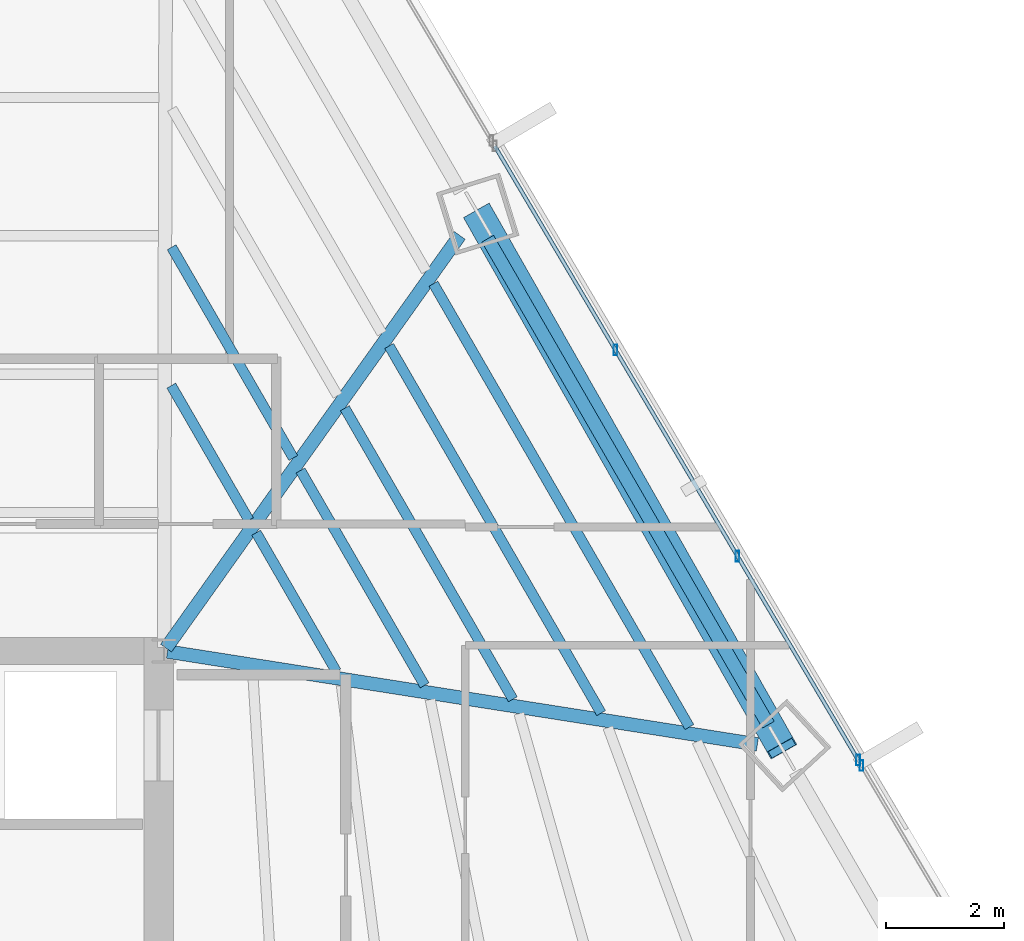
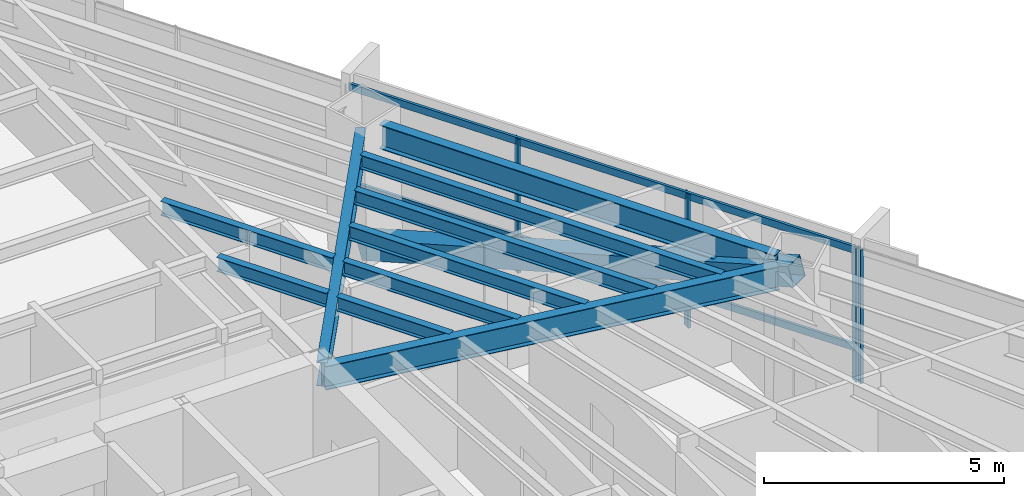
# One storey, part 22 of 35: 10 beams, 7 members, 2 elements without a shape of their own.
"""IFC4 building model written with IfcOpenShell, lengths in metres."""

import ifcopenshell
import ifcopenshell.guid

model = None  # the IFC model being written
_history = None  # IfcOwnerHistory: only IFC2X3 demands one
_inside = {}  # id of a spatial element -> (the spatial element, [elements in it])
_under = {}  # id of a project, library or spatial element -> (it, [spatial elements below it])
_declared = {}  # id of a project -> (the project, [libraries it declares])
_typed = {}  # id of a type object -> (the type object, [elements of that type])
_made_of = {}  # id of a material, layer set ... -> (it, [elements and type objects made of it])


def new_model(schema):
    """Start an empty IFC model of exactly this schema.

    Asked for "IFC4X3", IfcOpenShell would pick the latest addendum, in which some entities
    have other attributes; the version numbers below select the first issue.
    IFC2X3 requires an IfcOwnerHistory on every rooted entity: one is made here for all.
    """
    global model, _history
    if schema == "IFC4X3":
        model = ifcopenshell.file(schema_version=(4, 3, 0, 0))
    else:
        model = ifcopenshell.file(schema=schema)
    _inside.clear()
    _under.clear()
    _declared.clear()
    _typed.clear()
    _made_of.clear()
    _history = None
    if model.schema == "IFC2X3":
        org = make("IfcOrganization", Name="unknown")
        user = make(
            "IfcPersonAndOrganization",
            ThePerson=make("IfcPerson", FamilyName="unknown"),
            TheOrganization=org,
        )
        app = make(
            "IfcApplication",
            ApplicationDeveloper=org,
            Version="unknown",
            ApplicationFullName="unknown",
            ApplicationIdentifier="unknown",
        )
        _history = make(
            "IfcOwnerHistory",
            OwningUser=user,
            OwningApplication=app,
            ChangeAction="ADDED",
            CreationDate=0,
        )
    return model


def make(cls, **values):
    """One entity of the class cls with the attributes given. An attribute that is None is left unset."""
    return model.create_entity(
        cls, **{name: value for name, value in values.items() if value is not None}
    )


def rooted(cls, **values):
    """An entity with a GlobalId (a new one), such as an element, a storey or a relation."""
    return make(cls, GlobalId=ifcopenshell.guid.new(), OwnerHistory=_history, **values)


def si_unit(unit_type, name, prefix=None):
    """IfcSIUnit, for example si_unit("LENGTHUNIT", "METRE", prefix="MILLI")."""
    return make("IfcSIUnit", UnitType=unit_type, Prefix=prefix, Name=name)


def assignment(units):
    """IfcUnitAssignment: the units of a project."""
    return None if units is None else make("IfcUnitAssignment", Units=units)


def point(xyz):
    """IfcCartesianPoint."""
    return None if xyz is None else make("IfcCartesianPoint", Coordinates=xyz)


def direction(xyz):
    """IfcDirection."""
    return None if xyz is None else make("IfcDirection", DirectionRatios=xyz)


def frame(location, z_axis=None, x_axis=None):
    """IfcAxis2Placement3D, a coordinate frame: its origin and axes. An axis left out is left unset."""
    return make(
        "IfcAxis2Placement3D",
        Location=point(location),
        Axis=direction(z_axis),
        RefDirection=direction(x_axis),
    )


def frame_2d(location, x_axis=None):
    """IfcAxis2Placement2D, a coordinate frame in the plane: its origin and x axis."""
    return make(
        "IfcAxis2Placement2D", Location=point(location), RefDirection=direction(x_axis)
    )


def origin():
    """The frame at (0, 0, 0) with its axes left unset."""
    return frame((0.0, 0.0, 0.0))


def origin_2d():
    """The frame at (0, 0) in the plane with its x axis left unset."""
    return frame_2d((0.0, 0.0))


def place(relative_to, where):
    """IfcLocalPlacement: puts the frame where relative to a parent placement (None: the world)."""
    return make(
        "IfcLocalPlacement", PlacementRelTo=relative_to, RelativePlacement=where
    )


def context(
    kind, dimensions, precision=None, world=None, true_north=None, identifier=None
):
    """IfcGeometricRepresentationContext, for example the 3D "Model" context."""
    return make(
        "IfcGeometricRepresentationContext",
        ContextIdentifier=identifier,
        ContextType=kind,
        CoordinateSpaceDimension=dimensions,
        Precision=precision,
        WorldCoordinateSystem=world,
        TrueNorth=true_north,
    )


def subcontext(parent, identifier, kind, view, scale=None):
    """IfcGeometricRepresentationSubContext, for example "Body" below "Model"."""
    return make(
        "IfcGeometricRepresentationSubContext",
        ContextIdentifier=identifier,
        ContextType=kind,
        ParentContext=parent,
        TargetScale=scale,
        TargetView=view,
    )


def project(units=None, contexts=None):
    """IfcProject with its units and contexts."""
    return rooted(
        "IfcProject",
        Name="project",
        RepresentationContexts=contexts,
        UnitsInContext=assignment(units),
    )


def spatial(cls, under=None, at=None, **own):
    """A site, building, storey or space (cls), placed at a placement, below another one or the project."""
    s = rooted(cls, ObjectPlacement=at, **own)
    if under is not None:
        _under.setdefault(under.id(), (under, []))[1].append(s)
    return s


def profile(cls, at=None, kind="AREA", **sizes):
    """A parametric profile (cls). Its sizes go by their IFC names, for example OverallWidth=200.0."""
    return make(cls, ProfileType=kind, Position=at, **sizes)


def hollow_rectangle(**sizes):
    """IfcRectangleHollowProfileDef."""
    return profile("IfcRectangleHollowProfileDef", **sizes)


def i_section(**sizes):
    """IfcIShapeProfileDef."""
    return profile("IfcIShapeProfileDef", **sizes)


def extrude(swept, where, along, depth):
    """IfcExtrudedAreaSolid: the profile swept, set in the frame where, extruded along a direction by depth."""
    return make(
        "IfcExtrudedAreaSolid",
        SweptArea=swept,
        Position=where,
        ExtrudedDirection=direction(along),
        Depth=depth,
    )


def shape(context_of_items, identifier, shape_type, items):
    """IfcShapeRepresentation: the items that make up one representation, for example the "Body"."""
    return make(
        "IfcShapeRepresentation",
        ContextOfItems=context_of_items,
        RepresentationIdentifier=identifier,
        RepresentationType=shape_type,
        Items=items,
    )


def source(mapping_origin, context_of_items, identifier, shape_type, items):
    """IfcRepresentationMap: a shape defined once, which mapped items show again and again."""
    return make(
        "IfcRepresentationMap",
        MappingOrigin=mapping_origin,
        MappedRepresentation=shape(context_of_items, identifier, shape_type, items),
    )


def transform(
    local_origin,
    x_axis=None,
    y_axis=None,
    z_axis=None,
    scale=None,
    scale2=None,
    scale3=None,
    uniform=True,
):
    """IfcCartesianTransformationOperator3D, or its non-uniform kind. x_axis, y_axis, z_axis: its Axis1, 2, 3."""
    if uniform:
        return make(
            "IfcCartesianTransformationOperator3D",
            Axis1=direction(x_axis),
            Axis2=direction(y_axis),
            LocalOrigin=point(local_origin),
            Scale=scale,
            Axis3=direction(z_axis),
        )
    return make(
        "IfcCartesianTransformationOperator3DnonUniform",
        Axis1=direction(x_axis),
        Axis2=direction(y_axis),
        LocalOrigin=point(local_origin),
        Scale=scale,
        Axis3=direction(z_axis),
        Scale2=scale2,
        Scale3=scale3,
    )


def mapped(mapping_source, mapping_target):
    """IfcMappedItem: shows the shape of a source again, moved by a transform."""
    return make(
        "IfcMappedItem", MappingSource=mapping_source, MappingTarget=mapping_target
    )


def material(Name=None, Category=None):
    """IfcMaterial."""
    return make("IfcMaterial", Name=Name, Category=Category)


def material_profile(
    of_material, cross_section, Name=None, Category=None, Priority=None
):
    """IfcMaterialProfile: a cross section and its material."""
    return make(
        "IfcMaterialProfile",
        Name=Name,
        Material=of_material,
        Profile=cross_section,
        Priority=Priority,
        Category=Category,
    )


def profile_set(profiles, Name=None, composite=None):
    """IfcMaterialProfileSet."""
    return make(
        "IfcMaterialProfileSet",
        Name=Name,
        MaterialProfiles=profiles,
        CompositeProfile=composite,
    )


def made_of(thing, what):
    """Note that an element or type object is made of a material, layer set ...; save() writes the relation."""
    if what is not None:
        _made_of.setdefault(what.id(), (what, []))[1].append(thing)
    return thing


def type_object(cls, material=None, **own):
    """A type object (cls), such as IfcWallType, which elements share."""
    return made_of(rooted(cls, **own), material)


def type_shapes(of_type, sources):
    """Give a type object the sources (RepresentationMaps) that its elements show as mapped items."""
    of_type.RepresentationMaps = sources


def element(
    cls,
    number,
    at=None,
    inside=None,
    cuts=None,
    type_object=None,
    material=None,
    context=None,
    identifier="Body",
    shape_type=None,
    held_by="IfcProductDefinitionShape",
    body=None,
    shapes=None,
    **own,
):
    """One element of the class cls, such as IfcWall. Its Tag is "e" and its number.

    at: its placement. inside: the storey or other place that contains it. cuts: it is an
    opening in that element (IfcRelVoidsElement). A single representation is given by context,
    identifier, shape_type and body (its items); several are given by shapes. held_by: the class
    of the entity that holds the representations. save() writes the other relations.
    """
    e = rooted(cls, Tag="e%d" % number, ObjectPlacement=at, **own)
    if body is not None:
        shapes = [shape(context, identifier, shape_type, body)]
    if shapes is not None:
        e.Representation = make(held_by, Representations=shapes)
    if inside is not None:
        _inside.setdefault(inside.id(), (inside, []))[1].append(e)
    if cuts is not None:
        rooted(
            "IfcRelVoidsElement", RelatingBuildingElement=cuts, RelatedOpeningElement=e
        )
    if type_object is not None:
        _typed.setdefault(type_object.id(), (type_object, []))[1].append(e)
    return made_of(e, material)


def aggregate(whole, parts):
    """IfcRelAggregates: a whole, such as a stair, and the parts it consists of."""
    return rooted("IfcRelAggregates", RelatingObject=whole, RelatedObjects=parts)


def save(model, path):
    """Write the relations noted so far, then the file.

    IfcRelAggregates (storeys below a building ...), IfcRelContainedInSpatialStructure (elements
    in a storey), IfcRelDefinesByType, IfcRelAssociatesMaterial and IfcRelDeclares: one each for
    every whole, place, type object, material and project.
    """
    for whole, parts in _under.values():
        aggregate(whole, parts)
    for where, things in _inside.values():
        rooted(
            "IfcRelContainedInSpatialStructure",
            RelatedElements=things,
            RelatingStructure=where,
        )
    for kind, things in _typed.values():
        rooted("IfcRelDefinesByType", RelatedObjects=things, RelatingType=kind)
    for what, things in _made_of.values():
        rooted("IfcRelAssociatesMaterial", RelatedObjects=things, RelatingMaterial=what)
    for by, libraries in _declared.values():
        rooted("IfcRelDeclares", RelatingContext=by, RelatedDefinitions=libraries)
    model.write(path)


model = new_model("IFC4")

# Units and contexts
model_context = context("Model", 3, precision=1e-05, world=origin(), true_north=direction((0.0, 1.0)))
body_context = subcontext(model_context, "Body", "Model", "MODEL_VIEW")
ifc_project = project(units=[si_unit("LENGTHUNIT", "METRE"), si_unit("AREAUNIT", "SQUARE_METRE"), si_unit("VOLUMEUNIT", "CUBIC_METRE"), si_unit("PLANEANGLEUNIT", "RADIAN"), si_unit("MASSUNIT", "GRAM", prefix="KILO")], contexts=[model_context])

# Site, building, storey
site_placement = place(None, origin())
site = spatial("IfcSite", under=ifc_project, at=site_placement, CompositionType="ELEMENT")
building_placement = place(site_placement, origin())
building = spatial("IfcBuilding", under=site, at=building_placement, Name="Caelisora Broadcast Tower", CompositionType="ELEMENT")
storey_placement = place(building_placement, frame((0.0, 0.0, 98.10009765625)))
storey = spatial("IfcBuildingStorey", under=building, at=storey_placement, Name="L25", CompositionType="ELEMENT", Elevation=98.10009765625)

# Beams
ifc_material_1 = material(Name="Steel Grade 350 (AS/NZS 3679.1)", Category="steel")
ifc_material_profile_1 = material_profile(ifc_material_1, i_section(OverallWidth=0.22900390625, OverallDepth=0.611572265625, WebThickness=0.011962890625, FlangeThickness=0.01953125, at=origin_2d()), Name="Steel Grade 350 (AS/NZS 3679.1)")
ifc_profile_set_1 = profile_set([ifc_material_profile_1], Name="Steel Grade 350 (AS/NZS 3679.1)")
beam_type_1 = type_object("IfcBeamType", Name="PG03", PredefinedType="BEAM", material=ifc_profile_set_1)
shared_shape_1 = source(origin(), body_context, "Body", "SweptSolid", [
    extrude(i_section(OverallWidth=0.22900390625, OverallDepth=0.611572265625, WebThickness=0.011962890625, FlangeThickness=0.01953125, at=origin_2d()), origin(), (0.0, 0.0, 1.0), 9.50048828125),
])
type_shapes(beam_type_1, [shared_shape_1])
beam_1_placement = place(storey_placement, frame((55.73095703125, 28.751708984375, 3.093994140625), z_axis=(-0.499994576128, 0.866028535236, 0.0), x_axis=(-0.866028535236, -0.499994576128, 0.0)))
element("IfcBeam", 1, at=beam_1_placement, inside=storey, type_object=beam_type_1, Name="L25 beam PG03", PredefinedType="BEAM", context=body_context, shape_type="MappedRepresentation", body=[
    mapped(shared_shape_1, transform((0.0, 0.0, 0.0), scale=1.0)),
])
ifc_material_profile_2 = material_profile(ifc_material_1, i_section(OverallWidth=0.22802734375, OverallDepth=0.602294921875, WebThickness=0.010498046875, FlangeThickness=0.014892578125, at=origin_2d()), Name="Steel Grade 350 (AS/NZS 3679.1)")
ifc_profile_set_2 = profile_set([ifc_material_profile_2], Name="Steel Grade 350 (AS/NZS 3679.1)")
beam_type_2 = type_object("IfcBeamType", Name="PG04", PredefinedType="BEAM", material=ifc_profile_set_2)
shared_shape_2 = source(origin(), body_context, "Body", "SweptSolid", [
    extrude(i_section(OverallWidth=0.22802734375, OverallDepth=0.602294921875, WebThickness=0.010498046875, FlangeThickness=0.014892578125, at=origin_2d()), origin(), (0.0, 0.0, 1.0), 8.575439453125),
])
beam_2_placement = place(storey_placement, frame((45.534912109375, 30.048828125, 3.098876953125), z_axis=(0.579815356656, 0.814747907138, 0.0), x_axis=(-0.814747907138, 0.579815356656, 0.0)))
element("IfcBeam", 2, at=beam_2_placement, inside=storey, type_object=beam_type_2, Name="L25 beam PG04", PredefinedType="BEAM", context=body_context, shape_type="MappedRepresentation", body=[
    mapped(shared_shape_2, transform((0.0, 0.0, 0.0), scale=1.0)),
])
shared_shape_3 = source(origin(), body_context, "Body", "SweptSolid", [
    extrude(i_section(OverallWidth=0.22802734375, OverallDepth=0.602294921875, WebThickness=0.010498046875, FlangeThickness=0.014892578125, at=origin_2d()), origin(), (0.0, 0.0, 1.0), 10.109619140625),
])
type_shapes(beam_type_2, [shared_shape_2, shared_shape_3])
beam_3_placement = place(storey_placement, frame((45.559326171875, 29.99072265625, 3.098876953125), z_axis=(0.987836088226, -0.155498754971, 0.0), x_axis=(0.155498754971, 0.987836088226, 0.0)))
element("IfcBeam", 3, at=beam_3_placement, inside=storey, type_object=beam_type_2, Name="L25 beam PG04", PredefinedType="BEAM", context=body_context, shape_type="MappedRepresentation", body=[
    mapped(shared_shape_3, transform((0.0, 0.0, 0.0), scale=1.0)),
])
ifc_material_profile_3 = material_profile(ifc_material_1, i_section(OverallWidth=0.172119140625, OverallDepth=0.358642578125, WebThickness=0.008056640625, FlangeThickness=0.012939453125, at=origin_2d()), Name="Steel Grade 350 (AS/NZS 3679.1)")
ifc_profile_set_3 = profile_set([ifc_material_profile_3], Name="Steel Grade 350 (AS/NZS 3679.1)")
beam_type_3 = type_object("IfcBeamType", Name="SB02", PredefinedType="JOIST", material=ifc_profile_set_3)
shared_shape_4 = source(origin(), body_context, "Body", "SweptSolid", [
    extrude(i_section(OverallWidth=0.172119140625, OverallDepth=0.358642578125, WebThickness=0.008056640625, FlangeThickness=0.012939453125, at=origin_2d()), origin(), (0.0, 0.0, 1.0), 2.631103515625),
])
beam_4_placement = place(storey_placement, frame((46.93896484375, 32.2138671875, 3.220703125), z_axis=(-0.499971461383, 0.866041879935, 0.0), x_axis=(-0.866041879935, -0.499971461383, 0.0)))
element("IfcBeam", 4, at=beam_4_placement, inside=storey, type_object=beam_type_3, Name="L25 beam SB02", PredefinedType="JOIST", context=body_context, shape_type="MappedRepresentation", body=[
    mapped(shared_shape_4, transform((0.0, 0.0, 0.0), scale=1.0)),
])
shared_shape_5 = source(origin(), body_context, "Body", "SweptSolid", [
    extrude(i_section(OverallWidth=0.172119140625, OverallDepth=0.358642578125, WebThickness=0.008056640625, FlangeThickness=0.012939453125, at=origin_2d()), origin(), (0.0, 0.0, 1.0), 4.119873046875),
])
beam_5_placement = place(storey_placement, frame((47.689208984375, 33.267822265625, 3.220703125), z_axis=(-0.50002680699, 0.866009926209, 0.0), x_axis=(-0.866009926209, -0.50002680699, 0.0)))
element("IfcBeam", 5, at=beam_5_placement, inside=storey, type_object=beam_type_3, Name="L25 beam SB02", PredefinedType="JOIST", context=body_context, shape_type="MappedRepresentation", body=[
    mapped(shared_shape_5, transform((0.0, 0.0, 0.0), scale=1.0)),
])
shared_shape_6 = source(origin(), body_context, "Body", "SweptSolid", [
    extrude(i_section(OverallWidth=0.172119140625, OverallDepth=0.358642578125, WebThickness=0.008056640625, FlangeThickness=0.012939453125, at=origin_2d()), origin(), (0.0, 0.0, 1.0), 2.711669921875),
])
beam_6_placement = place(storey_placement, frame((48.4169921875, 29.65380859375, 3.220703125), z_axis=(-0.499964059464, 0.866046153068, 0.0), x_axis=(-0.866046153068, -0.499964059464, 0.0)))
element("IfcBeam", 6, at=beam_6_placement, inside=storey, type_object=beam_type_3, Name="L25 beam SB02", PredefinedType="JOIST", context=body_context, shape_type="MappedRepresentation", body=[
    mapped(shared_shape_6, transform((0.0, 0.0, 0.0), scale=1.0)),
])
shared_shape_7 = source(origin(), body_context, "Body", "SweptSolid", [
    extrude(i_section(OverallWidth=0.172119140625, OverallDepth=0.358642578125, WebThickness=0.008056640625, FlangeThickness=0.012939453125, at=origin_2d()), origin(), (0.0, 0.0, 1.0), 4.199951171875),
])
beam_7_placement = place(storey_placement, frame((49.911376953125, 29.418701171875, 3.220703125), z_axis=(-0.500027713859, 0.866009402589, 0.0), x_axis=(-0.866009402589, -0.500027713859, 0.0)))
element("IfcBeam", 7, at=beam_7_placement, inside=storey, type_object=beam_type_3, Name="L25 beam SB02", PredefinedType="JOIST", context=body_context, shape_type="MappedRepresentation", body=[
    mapped(shared_shape_7, transform((0.0, 0.0, 0.0), scale=1.0)),
])
shared_shape_8 = source(origin(), body_context, "Body", "SweptSolid", [
    extrude(i_section(OverallWidth=0.172119140625, OverallDepth=0.358642578125, WebThickness=0.008056640625, FlangeThickness=0.012939453125, at=origin_2d()), origin(), (0.0, 0.0, 1.0), 5.68896484375),
])
beam_8_placement = place(storey_placement, frame((51.406005859375, 29.183349609375, 3.220703125), z_axis=(-0.500002303494, 0.866024073857, 0.0), x_axis=(-0.866024073857, -0.500002303494, 0.0)))
element("IfcBeam", 8, at=beam_8_placement, inside=storey, type_object=beam_type_3, Name="L25 beam SB02", PredefinedType="JOIST", context=body_context, shape_type="MappedRepresentation", body=[
    mapped(shared_shape_8, transform((0.0, 0.0, 0.0), scale=1.0)),
])
shared_shape_9 = source(origin(), body_context, "Body", "SweptSolid", [
    extrude(i_section(OverallWidth=0.172119140625, OverallDepth=0.358642578125, WebThickness=0.008056640625, FlangeThickness=0.012939453125, at=origin_2d()), origin(), (0.0, 0.0, 1.0), 7.177490234375),
])
beam_9_placement = place(storey_placement, frame((52.900390625, 28.9482421875, 3.220703125), z_axis=(-0.500016891966, 0.866015650984, 0.0), x_axis=(-0.866015650984, -0.500016891966, 0.0)))
element("IfcBeam", 9, at=beam_9_placement, inside=storey, type_object=beam_type_3, Name="L25 beam SB02", PredefinedType="JOIST", context=body_context, shape_type="MappedRepresentation", body=[
    mapped(shared_shape_9, transform((0.0, 0.0, 0.0), scale=1.0)),
])
shared_shape_10 = source(origin(), body_context, "Body", "SweptSolid", [
    extrude(i_section(OverallWidth=0.172119140625, OverallDepth=0.358642578125, WebThickness=0.008056640625, FlangeThickness=0.012939453125, at=origin_2d()), origin(), (0.0, 0.0, 1.0), 8.666015625),
])
type_shapes(beam_type_3, [shared_shape_4, shared_shape_5, shared_shape_6, shared_shape_7, shared_shape_8, shared_shape_9, shared_shape_10])
beam_10_placement = place(storey_placement, frame((54.394775390625, 28.712890625, 3.220703125), z_axis=(-0.499993141028, 0.866029363778, 0.0), x_axis=(-0.866029363778, -0.499993141028, 0.0)))
element("IfcBeam", 10, at=beam_10_placement, inside=storey, type_object=beam_type_3, Name="L25 beam SB02", PredefinedType="JOIST", context=body_context, shape_type="MappedRepresentation", body=[
    mapped(shared_shape_10, transform((0.0, 0.0, 0.0), scale=1.0)),
])

# Member
ifc_material_2 = material(Name="Steel Grade 450 L15 (AS/NZS 3678)", Category="steel")
ifc_material_profile_4 = material_profile(ifc_material_2, hollow_rectangle(XDim=0.5, YDim=0.5, WallThickness=0.02001953125, at=origin_2d()), Name="Steel Grade 450 L15 (AS/NZS 3678)")
ifc_profile_set_4 = profile_set([ifc_material_profile_4], Name="Steel Grade 450 L15 (AS/NZS 3678)")
member_type_1 = type_object("IfcMemberType", Name="BR02", PredefinedType="BRACE", material=ifc_profile_set_4)
shared_shape_11 = source(origin(), body_context, "Body", "SweptSolid", [
    extrude(hollow_rectangle(XDim=0.5, YDim=0.5, WallThickness=0.02001953125, at=origin_2d()), origin(), (0.0, 0.0, 1.0), 10.828369140625),
])
type_shapes(member_type_1, [shared_shape_11])
member_1_placement = place(storey_placement, frame((55.9609375, 28.353515625, 3.099853515625), z_axis=(-0.474647555908, 0.835435613557, -0.27705059695), x_axis=(-0.869470758788, -0.493984412317, 0.0)))
element("IfcMember", 11, at=member_1_placement, inside=storey, type_object=member_type_1, Name="L25 perimeter brace BR02", PredefinedType="BRACE", context=body_context, shape_type="MappedRepresentation", body=[
    mapped(shared_shape_11, transform((0.0, 0.0, 0.0), scale=1.0)),
])

# Curtain wall, members
ifc_material_3 = material(Name="Unitised Aluminium Insulated Shadow-Box Spandrel Curtain Wall", Category="aluminium")
curtain_wall_type_1 = type_object("IfcCurtainWallType", Name="CW-SP1", PredefinedType="NOTDEFINED", material=ifc_material_3)
curtain_wall_1_placement = place(storey_placement, origin())
curtain_wall_1 = element("IfcCurtainWall", 12, at=curtain_wall_1_placement, inside=storey, type_object=curtain_wall_type_1, Name="L25 curtain wall CW-SP1", PredefinedType="NOTDEFINED")
ifc_material_4 = material(Name="Aluminium 6063-T6 Anodised Terracotta Bronze", Category="aluminium")
ifc_material_profile_5 = material_profile(ifc_material_4, hollow_rectangle(XDim=0.06494140625, YDim=0.179931640625, WallThickness=0.00341796875, at=origin_2d()), Name="Aluminium 6063-T6 Anodised Terracotta Bronze")
ifc_profile_set_5 = profile_set([ifc_material_profile_5], Name="Aluminium 6063-T6 Anodised Terracotta Bronze")
member_type_2 = type_object("IfcMemberType", Name="CWM-02", PredefinedType="MULLION", material=ifc_profile_set_5)
shared_shape_12 = source(origin(), body_context, "Body", "SweptSolid", [
    extrude(hollow_rectangle(XDim=0.06494140625, YDim=0.179931640625, WallThickness=0.00341796875, at=origin_2d()), origin(), (0.0, 0.0, 1.0), 3.39990234375),
])
type_shapes(member_type_2, [shared_shape_12])
member_2_placement = place(storey_placement, frame((53.142578125, 35.096923828125, 0.0), z_axis=(0.0, 0.0, 1.0), x_axis=(1.0, 0.0, 0.0)))
member_2 = element("IfcMember", 13, at=member_2_placement, type_object=member_type_2, Name="L25-CW-B02 mullion #1", PredefinedType="MULLION", context=body_context, shape_type="MappedRepresentation", body=[
    mapped(shared_shape_12, transform((0.0, 0.0, 0.0), scale=1.0)),
])
member_3_placement = place(storey_placement, frame((55.210205078125, 31.60400390625, 0.0), z_axis=(0.0, 0.0, 1.0), x_axis=(1.0, 0.0, 0.0)))
member_3 = element("IfcMember", 14, at=member_3_placement, type_object=member_type_2, Name="L25-CW-B02 mullion #2", PredefinedType="MULLION", context=body_context, shape_type="MappedRepresentation", body=[
    mapped(shared_shape_12, transform((0.0, 0.0, 0.0), scale=1.0)),
])
member_4_placement = place(storey_placement, frame((57.25244140625, 28.154052734375, 0.0), z_axis=(0.0, 0.0, 1.0), x_axis=(1.0, 0.0, 0.0)))
member_4 = element("IfcMember", 15, at=member_4_placement, type_object=member_type_2, Name="L25-CW-B02 mullion #3", PredefinedType="MULLION", context=body_context, shape_type="MappedRepresentation", body=[
    mapped(shared_shape_12, transform((0.0, 0.0, 0.0), scale=1.0)),
])

# Curtain wall, member
ifc_material_5 = material(Name="Unitised Aluminium and Low-E Glass Curtain Wall", Category="glass")
curtain_wall_type_2 = type_object("IfcCurtainWallType", Name="CW-Z2", PredefinedType="NOTDEFINED", material=ifc_material_5)
curtain_wall_2_placement = place(storey_placement, origin())
curtain_wall_2 = element("IfcCurtainWall", 16, at=curtain_wall_2_placement, inside=storey, type_object=curtain_wall_type_2, Name="L25 curtain wall CW-Z2", PredefinedType="NOTDEFINED")
member_5_placement = place(storey_placement, frame((57.30859375, 28.059326171875, 0.0), z_axis=(0.0, 0.0, 1.0), x_axis=(1.0, 0.0, 0.0)))
member_5 = element("IfcMember", 17, at=member_5_placement, type_object=member_type_2, Name="L25-CW-B03 mullion #0", PredefinedType="MULLION", context=body_context, shape_type="MappedRepresentation", body=[
    mapped(shared_shape_12, transform((0.0, 0.0, 0.0), scale=1.0)),
])
aggregate(curtain_wall_2, [member_5])

# Member
ifc_material_profile_6 = material_profile(ifc_material_4, hollow_rectangle(XDim=0.06494140625, YDim=0.179931640625, WallThickness=0.00341796875, at=origin_2d()), Name="Aluminium 6063-T6 Anodised Terracotta Bronze")
ifc_profile_set_6 = profile_set([ifc_material_profile_6], Name="Aluminium 6063-T6 Anodised Terracotta Bronze")
member_type_3 = type_object("IfcMemberType", Name="CWT-01", PredefinedType="USERDEFINED", material=ifc_profile_set_6)
shared_shape_13 = source(origin(), body_context, "Body", "SweptSolid", [
    extrude(hollow_rectangle(XDim=0.06494140625, YDim=0.179931640625, WallThickness=0.00341796875, at=origin_2d()), origin(), (0.0, 0.0, 1.0), 12.077392578125),
])
type_shapes(member_type_3, [shared_shape_13])
member_6_placement = place(storey_placement, frame((51.100341796875, 38.547119140625, 0.849853515625), z_axis=(0.509388413696, -0.860536718561, 0.0), x_axis=(0.860536718561, 0.509388413696, 0.0)))
member_6 = element("IfcMember", 18, at=member_6_placement, type_object=member_type_3, Name="L25-CW-B02 transom #1", ObjectType="TRANSOM", PredefinedType="USERDEFINED", context=body_context, shape_type="MappedRepresentation", body=[
    mapped(shared_shape_13, transform((0.0, 0.0, 0.0), scale=1.0)),
])

member_7_placement = place(storey_placement, frame((51.100341796875, 38.547119140625, 3.31982421875), z_axis=(0.509388413696, -0.860536718561, 0.0), x_axis=(0.860536718561, 0.509388413696, 0.0)))
member_7 = element("IfcMember", 19, at=member_7_placement, type_object=member_type_3, Name="L25-CW-B02 transom #2", ObjectType="TRANSOM", PredefinedType="USERDEFINED", context=body_context, shape_type="MappedRepresentation", body=[
    mapped(shared_shape_13, transform((0.0, 0.0, 0.0), scale=1.0)),
])

aggregate(curtain_wall_1, [member_2, member_3, member_4, member_6, member_7])

save(model, "model.ifc")
